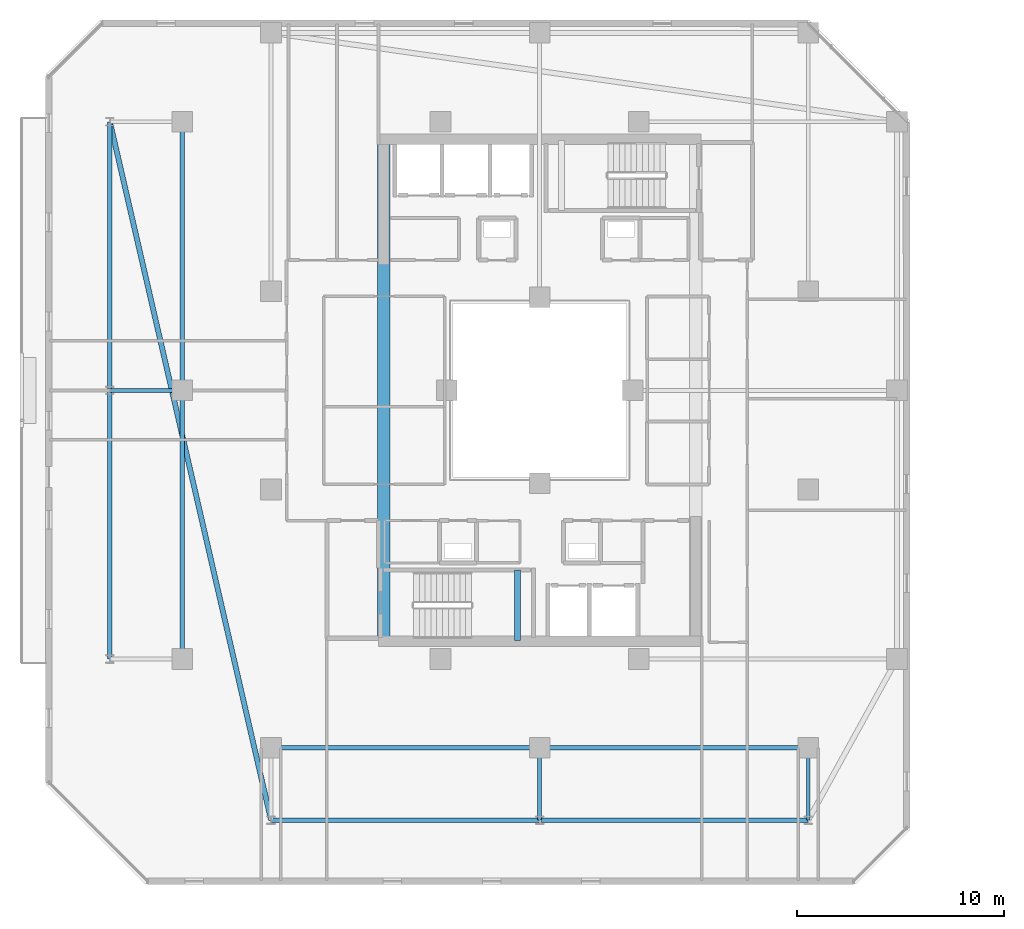
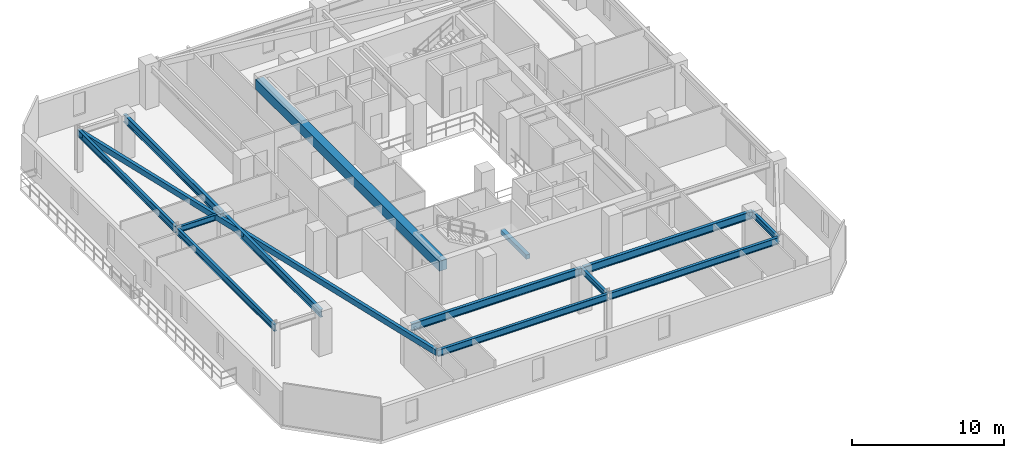
# One storey, part 4 of 32: 14 beams.
"""IFC4 building model written with IfcOpenShell, lengths in metres."""

from ifc_helpers import new_model, si_unit, direction, frame, origin, origin_2d, place, context, subcontext, project, spatial, rectangle, hollow_rectangle, i_section, extrude, material, material_profile, profile_set, type_object, element, save


model = new_model("IFC4")

# Units and contexts
model_context = context("Model", 3, precision=1e-05, world=origin(), true_north=direction((0.0, 1.0)))
body_context = subcontext(model_context, "Body", "Model", "MODEL_VIEW")
ifc_project = project(units=[si_unit("LENGTHUNIT", "METRE"), si_unit("AREAUNIT", "SQUARE_METRE"), si_unit("VOLUMEUNIT", "CUBIC_METRE"), si_unit("PLANEANGLEUNIT", "RADIAN"), si_unit("MASSUNIT", "GRAM", prefix="KILO")], contexts=[model_context])

# Site, building, storey
site_placement = place(None, origin())
site = spatial("IfcSite", under=ifc_project, at=site_placement, CompositionType="ELEMENT")
building_placement = place(site_placement, origin())
building = spatial("IfcBuilding", under=site, at=building_placement, Name="Thornwick Lancets Civic Towers", CompositionType="ELEMENT")
storey_placement = place(building_placement, frame((0.0, 0.0, 247.5)))
storey = spatial("IfcBuildingStorey", under=building, at=storey_placement, Name="L66", CompositionType="ELEMENT", Elevation=247.5)

# Beams
ifc_material_1 = material(Name="Concrete C60/75", Category="concrete")
ifc_material_profile_1 = material_profile(ifc_material_1, rectangle(XDim=0.60009765625, YDim=0.800048828125, at=origin_2d()), Name="RC 600x800")
ifc_profile_set_1 = profile_set([ifc_material_profile_1], Name="Concrete C60/75")
beam_type_1 = type_object("IfcBeamType", Name="BM_COUP_RC800", PredefinedType="BEAM", material=ifc_profile_set_1)
beam_1_placement = place(storey_placement, frame((17.949951171875, 14.89990234375, 2.9599609375), z_axis=(0.0, 1.0, 0.0), x_axis=(-1.0, 0.0, 0.0)))
element("IfcBeam", 1, at=beam_1_placement, inside=storey, type_object=beam_type_1, Name="CB-L66-A2", PredefinedType="BEAM", context=body_context, shape_type="SweptSolid", body=[
    extrude(rectangle(XDim=0.60009765625, YDim=0.800048828125, at=origin_2d()), origin(), (0.0, 0.0, 1.0), 24.2001953125),
])
ifc_material_2 = material(Name="Steel S355JR", Category="steel")
ifc_material_profile_2 = material_profile(ifc_material_2, i_section(OverallWidth=0.210693359375, OverallDepth=0.53955078125, WebThickness=0.01171875, FlangeThickness=0.018798828125, FilletRadius=0.0126953125, at=origin_2d()), Name="UKB 533x210x109")
ifc_profile_set_2 = profile_set([ifc_material_profile_2], Name="Steel S355JR")
beam_type_2 = type_object("IfcBeamType", Name="BM_EDGE_533_109", PredefinedType="SPANDREL", material=ifc_profile_set_2)
beam_2_placement = place(storey_placement, frame((12.5, 6.199951171875, 3.09033203125), z_axis=(1.0, 0.0, 0.0), x_axis=(0.0, 1.0, 0.0)))
element("IfcBeam", 2, at=beam_2_placement, inside=storey, type_object=beam_type_2, Name="BM-EDGE-L66-A-S0-1", PredefinedType="SPANDREL", context=body_context, shape_type="SweptSolid", body=[
    extrude(i_section(OverallWidth=0.210693359375, OverallDepth=0.53955078125, WebThickness=0.01171875, FlangeThickness=0.018798828125, FilletRadius=0.0126953125, at=origin_2d()), origin(), (0.0, 0.0, 1.0), 13.0),
])
beam_3_placement = place(storey_placement, frame((25.580078125, 6.199951171875, 3.09033203125), z_axis=(1.0, 0.0, 0.0), x_axis=(0.0, 1.0, 0.0)))
element("IfcBeam", 3, at=beam_3_placement, inside=storey, type_object=beam_type_2, Name="BM-EDGE-L66-A-S0-2", PredefinedType="SPANDREL", context=body_context, shape_type="SweptSolid", body=[
    extrude(i_section(OverallWidth=0.210693359375, OverallDepth=0.53955078125, WebThickness=0.01171875, FlangeThickness=0.018798828125, FilletRadius=0.0126953125, at=origin_2d()), origin(), (0.0, 0.0, 1.0), 12.919921875),
])
beam_4_placement = place(storey_placement, frame((4.699951171875, 14.0, 3.09033203125), z_axis=(0.0, 1.0, 0.0), x_axis=(-1.0, 0.0, 0.0)))
element("IfcBeam", 4, at=beam_4_placement, inside=storey, type_object=beam_type_2, Name="BM-EDGE-L66-A-S3-1", PredefinedType="SPANDREL", context=body_context, shape_type="SweptSolid", body=[
    extrude(i_section(OverallWidth=0.210693359375, OverallDepth=0.53955078125, WebThickness=0.01171875, FlangeThickness=0.018798828125, FilletRadius=0.0126953125, at=origin_2d()), origin(), (0.0, 0.0, 1.0), 13.0),
])
beam_5_placement = place(storey_placement, frame((4.699951171875, 27.080078125, 3.09033203125), z_axis=(0.0, 1.0, 0.0), x_axis=(-1.0, 0.0, 0.0)))
element("IfcBeam", 5, at=beam_5_placement, inside=storey, type_object=beam_type_2, Name="BM-EDGE-L66-A-S3-2", PredefinedType="SPANDREL", context=body_context, shape_type="SweptSolid", body=[
    extrude(i_section(OverallWidth=0.210693359375, OverallDepth=0.53955078125, WebThickness=0.01171875, FlangeThickness=0.018798828125, FilletRadius=0.0126953125, at=origin_2d()), origin(), (0.0, 0.0, 1.0), 12.919921875),
])
ifc_material_profile_3 = material_profile(ifc_material_2, i_section(OverallWidth=0.230224609375, OverallDepth=0.6171875, WebThickness=0.01318359375, FlangeThickness=0.022216796875, FilletRadius=0.0126953125, at=origin_2d()), Name="UKB 610x229x140")
ifc_profile_set_3 = profile_set([ifc_material_profile_3], Name="Steel S355JR")
beam_type_3 = type_object("IfcBeamType", Name="BM_GIRD_610_140", PredefinedType="BEAM", material=ifc_profile_set_3)
beam_6_placement = place(storey_placement, frame((12.5, 9.699951171875, 3.051513671875), z_axis=(1.0, 0.0, 0.0), x_axis=(0.0, 1.0, 0.0)))
element("IfcBeam", 6, at=beam_6_placement, inside=storey, type_object=beam_type_3, Name="BM-SPINE-L66-A-0-1", PredefinedType="BEAM", context=body_context, shape_type="SweptSolid", body=[
    extrude(i_section(OverallWidth=0.230224609375, OverallDepth=0.6171875, WebThickness=0.01318359375, FlangeThickness=0.022216796875, FilletRadius=0.0126953125, at=origin_2d()), origin(), (0.0, 0.0, 1.0), 13.0),
])
beam_7_placement = place(storey_placement, frame((25.580078125, 9.699951171875, 3.051513671875), z_axis=(1.0, 0.0, 0.0), x_axis=(0.0, 1.0, 0.0)))
element("IfcBeam", 7, at=beam_7_placement, inside=storey, type_object=beam_type_3, Name="BM-SPINE-L66-A-1-2", PredefinedType="BEAM", context=body_context, shape_type="SweptSolid", body=[
    extrude(i_section(OverallWidth=0.230224609375, OverallDepth=0.6171875, WebThickness=0.01318359375, FlangeThickness=0.022216796875, FilletRadius=0.0126953125, at=origin_2d()), origin(), (0.0, 0.0, 1.0), 12.919921875),
])
beam_8_placement = place(storey_placement, frame((8.199951171875, 14.0, 3.051513671875), z_axis=(0.0, 1.0, 0.0), x_axis=(-1.0, 0.0, 0.0)))
element("IfcBeam", 8, at=beam_8_placement, inside=storey, type_object=beam_type_3, Name="BM-SPINE-L66-A-9-10", PredefinedType="BEAM", context=body_context, shape_type="SweptSolid", body=[
    extrude(i_section(OverallWidth=0.230224609375, OverallDepth=0.6171875, WebThickness=0.01318359375, FlangeThickness=0.022216796875, FilletRadius=0.0126953125, at=origin_2d()), origin(), (0.0, 0.0, 1.0), 13.0),
])
beam_9_placement = place(storey_placement, frame((8.199951171875, 27.080078125, 3.051513671875), z_axis=(0.0, 1.0, 0.0), x_axis=(-1.0, 0.0, 0.0)))
element("IfcBeam", 9, at=beam_9_placement, inside=storey, type_object=beam_type_3, Name="BM-SPINE-L66-A-10-11", PredefinedType="BEAM", context=body_context, shape_type="SweptSolid", body=[
    extrude(i_section(OverallWidth=0.230224609375, OverallDepth=0.6171875, WebThickness=0.01318359375, FlangeThickness=0.022216796875, FilletRadius=0.0126953125, at=origin_2d()), origin(), (0.0, 0.0, 1.0), 12.919921875),
])
ifc_material_profile_4 = material_profile(ifc_material_2, i_section(OverallWidth=0.19189453125, OverallDepth=0.46337890625, WebThickness=0.010498046875, FlangeThickness=0.017578125, FilletRadius=0.01025390625, at=origin_2d()), Name="UKB 457x191x89")
ifc_profile_set_4 = profile_set([ifc_material_profile_4], Name="Steel S355JR")
beam_type_4 = type_object("IfcBeamType", Name="BM_JOIST_457_89", PredefinedType="JOIST", material=ifc_profile_set_4)
for number, where, z_axis, x_axis, name in (
    (10, (25.5, 9.699951171875, 3.12841796875), (0.0, -1.0, 0.0), (1.0, 0.0, 0.0), "BM-RAD-L66-A02"),
    (11, (38.5, 9.699951171875, 3.12841796875), (0.0, -1.0, 0.0), (1.0, 0.0, 0.0), "BM-RAD-L66-A03"),
    (12, (8.199951171875, 27.0, 3.12841796875), (-1.0, 0.0, 0.0), (0.0, -1.0, 0.0), "BM-RAD-L66-A11"),
):
    element("IfcBeam", number, at=place(storey_placement, frame(where, z_axis=z_axis, x_axis=x_axis)), inside=storey, type_object=beam_type_4, Name=name, PredefinedType="JOIST", context=body_context, shape_type="SweptSolid", body=[
        extrude(i_section(OverallWidth=0.19189453125, OverallDepth=0.46337890625, WebThickness=0.010498046875, FlangeThickness=0.017578125, FilletRadius=0.01025390625, at=origin_2d()), origin(), (0.0, 0.0, 1.0), 3.5),
    ])
ifc_material_profile_5 = material_profile(ifc_material_2, hollow_rectangle(XDim=0.25, YDim=0.449951171875, WallThickness=0.01611328125, at=origin_2d()), Name="RHS 450x250x16")
ifc_profile_set_5 = profile_set([ifc_material_profile_5], Name="Steel S355JR")
beam_type_5 = type_object("IfcBeamType", Name="BM_RING_RHS450", PredefinedType="BEAM", material=ifc_profile_set_5)
beam_10_placement = place(storey_placement, frame((4.699951171875, 40.0, 3.135009765625), z_axis=(0.224860534737, -0.974390958454, 0.0), x_axis=(0.974390958454, 0.224860534737, 0.0)))
element("IfcBeam", 13, at=beam_10_placement, inside=storey, type_object=beam_type_5, Name="BM-CHAMF-L66-A-C3", PredefinedType="BEAM", context=body_context, shape_type="SweptSolid", body=[
    extrude(hollow_rectangle(XDim=0.25, YDim=0.449951171875, WallThickness=0.01611328125, at=origin_2d()), origin(), (0.0, 0.0, 1.0), 34.6884765625),
])
ifc_material_3 = material(Name="Concrete C40/50", Category="concrete")
ifc_material_profile_6 = material_profile(ifc_material_3, rectangle(XDim=0.300048828125, YDim=0.35009765625, at=origin_2d()), Name="RC 300x350")
ifc_profile_set_6 = profile_set([ifc_material_profile_6], Name="Concrete C40/50")
beam_type_6 = type_object("IfcBeamType", Name="BM_STAIR_LDG", PredefinedType="BEAM", material=ifc_profile_set_6)
beam_11_placement = place(storey_placement, frame((24.43505859375, 14.89990234375, 1.3779296875), z_axis=(0.0, 1.0, 0.0), x_axis=(-1.0, 0.0, 0.0)))
element("IfcBeam", 14, at=beam_11_placement, inside=storey, type_object=beam_type_6, Name="L66 ST-A1 Landing Support Beam 1", PredefinedType="BEAM", context=body_context, shape_type="SweptSolid", body=[
    extrude(rectangle(XDim=0.300048828125, YDim=0.35009765625, at=origin_2d()), origin(), (0.0, 0.0, 1.0), 3.400146484375),
])

save(model, "model.ifc")
